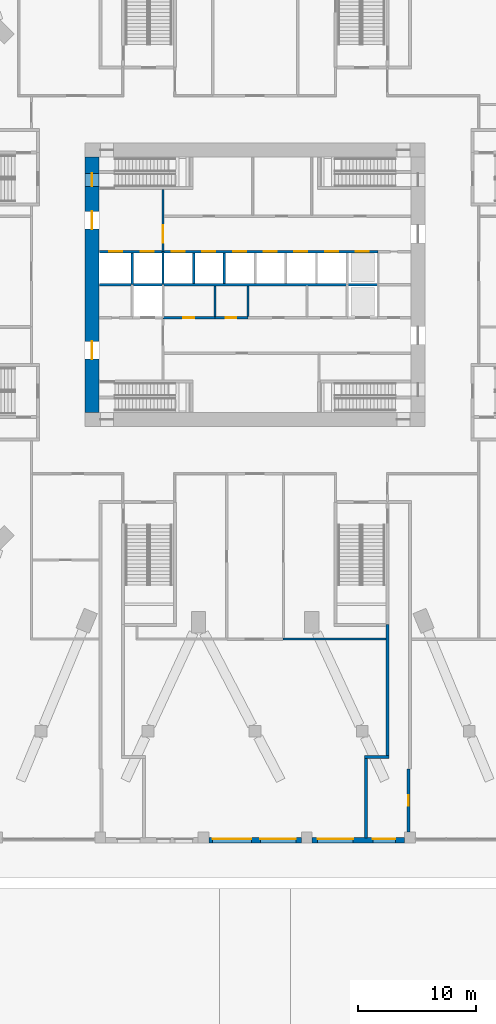
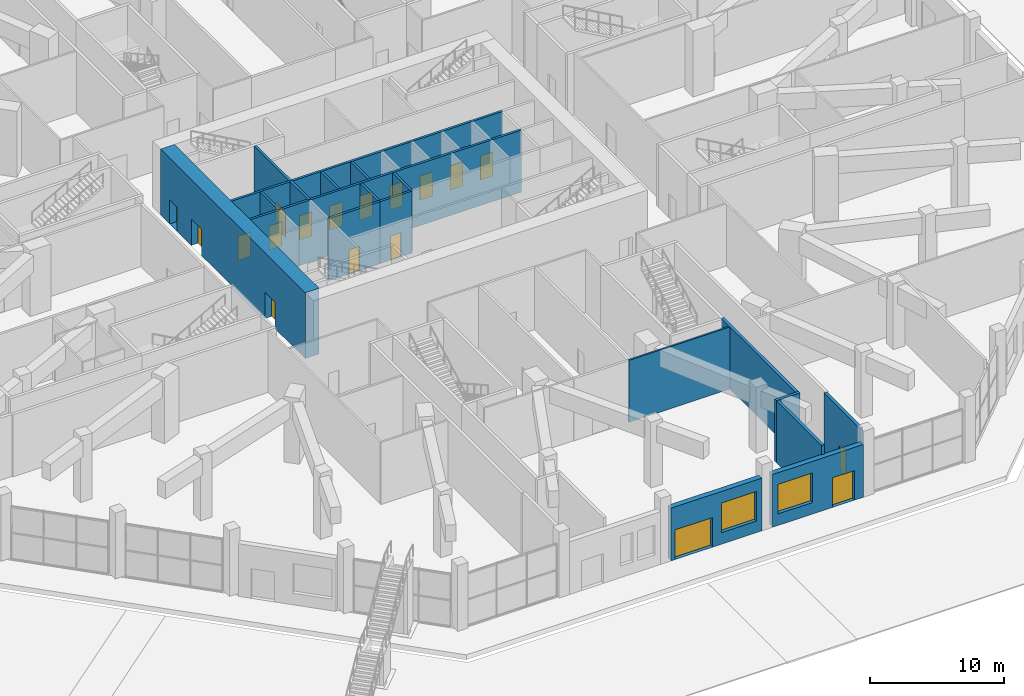
# One storey, part 22 of 36: 19 walls, 18 doors, 2 windows, 20 openings.
"""IFC4 building model written with IfcOpenShell, lengths in metres."""

from ifc_helpers import new_model, si_unit, direction, frame, frame_2d, origin, place, context, subcontext, project, spatial, rectangle, extrude, material, layer, layer_set, type_object, element, fill, save


model = new_model("IFC4")

# Units and contexts
model_context = context("Model", 3, precision=1e-05, world=origin(), true_north=direction((0.0, 1.0)))
body_context = subcontext(model_context, "Body", "Model", "MODEL_VIEW")
ifc_project = project(units=[si_unit("LENGTHUNIT", "METRE"), si_unit("AREAUNIT", "SQUARE_METRE"), si_unit("VOLUMEUNIT", "CUBIC_METRE"), si_unit("PLANEANGLEUNIT", "RADIAN"), si_unit("MASSUNIT", "GRAM", prefix="KILO")], contexts=[model_context])

# Site, building, storey
site_placement = place(None, origin())
site = spatial("IfcSite", under=ifc_project, at=site_placement, CompositionType="ELEMENT")
building_placement = place(site_placement, origin())
building = spatial("IfcBuilding", under=site, at=building_placement, Name="Msitu Wima Residences", CompositionType="ELEMENT")
storey_placement = place(building_placement, origin())
storey = spatial("IfcBuildingStorey", under=building, at=storey_placement, Name="L00", CompositionType="ELEMENT", Elevation=0.0)

# Wall, openings, door, window
ifc_material_1 = material(Name="Brick (red buff mix), cavity wall of two leaves", Category="masonry")
ifc_layer_1 = layer(ifc_material_1, 0.449951171875)
ifc_layer_set_1 = layer_set([ifc_layer_1], Name="Brick (red buff mix), cavity wall of two leaves")
wall_type_1 = type_object("IfcWallType", Name="Brick infill wall BW450 podium", PredefinedType="ELEMENTEDWALL", material=ifc_layer_set_1)
wall_1_placement = place(storey_placement, frame((-3.921142578125, -47.02490234375, 0.0), z_axis=(0.0, 0.0, 1.0), x_axis=(1.0, 0.0, 0.0)))
wall_1 = element("IfcWall", 1, at=wall_1_placement, inside=storey, type_object=wall_type_1, Name="Brick infill wall L00 S2", PredefinedType="ELEMENTEDWALL", context=body_context, shape_type="SweptSolid", body=[
    extrude(rectangle(XDim=7.84228515625, YDim=0.449951171875, at=frame_2d((3.921142578125, 0.0))), origin(), (0.0, 0.0, 1.0), 4.800048828125),
])
opening_1_placement = place(wall_1_placement, frame((0.3251953125, 0.0, 0.0)))
opening_1 = element("IfcOpeningElement", 2, at=opening_1_placement, cuts=wall_1, Name="Opening D00.015", PredefinedType="OPENING", context=body_context, shape_type="SweptSolid", body=[
    extrude(rectangle(XDim=3.27099609375, YDim=2.699951171875, at=frame_2d((1.635498046875, 1.35009765625))), frame((0.0, 0.23486328125, 0.0), z_axis=(0.0, -1.0, 0.0), x_axis=(1.0, 0.0, 0.0)), (0.0, 0.0, 1.0), 0.469970703125),
])
opening_2_placement = place(wall_1_placement, frame((4.37109375, 0.0, 1.050048828125)))
opening_2 = element("IfcOpeningElement", 3, at=opening_2_placement, cuts=wall_1, Name="Opening W00.008", PredefinedType="OPENING", context=body_context, shape_type="SweptSolid", body=[
    extrude(rectangle(XDim=3.0, YDim=2.699951171875, at=frame_2d((1.5, 1.35009765625))), frame((0.0, 0.23486328125, 0.0), z_axis=(0.0, -1.0, 0.0), x_axis=(1.0, 0.0, 0.0)), (0.0, 0.0, 1.0), 0.469970703125),
])
ifc_material_2 = material(Name="Anodised aluminium, bronze finish, clear laminated glazing", Category="aluminium")
door_type_1 = type_object("IfcDoorType", Name="Entrance door D3271x2700", OperationType="DOUBLE_DOOR_SINGLE_SWING", PredefinedType="DOOR", material=ifc_material_2)
door_1_placement = place(opening_1_placement, frame((3.27099609375, 0.0, 0.0), z_axis=(0.0, 0.0, 1.0), x_axis=(-1.0, 0.0, 0.0)))
door_1 = element("IfcDoor", 4, at=door_1_placement, inside=storey, type_object=door_type_1, Name="Entrance door L00 S2", OperationType="DOUBLE_DOOR_SINGLE_SWING", OverallHeight=2.699951171875, OverallWidth=3.27099609375, PredefinedType="DOOR", context=body_context, shape_type="SweptSolid", body=[
    extrude(rectangle(XDim=3.27099609375, YDim=2.699951171875, at=frame_2d((1.635498046875, 1.35009765625))), frame((0.0, -0.079833984375, 0.0), z_axis=(0.0, -1.0, 0.0), x_axis=(1.0, 0.0, 0.0)), (0.0, 0.0, 1.0), 0.050048828125),
])
fill(opening_1, door_1)
ifc_material_3 = material(Name="Anodised aluminium, bronze finish, clear low-emissivity double glazing", Category="aluminium")
window_type = type_object("IfcWindowType", Name="Window W3000x2700", PartitioningType="DOUBLE_PANEL_VERTICAL", PredefinedType="WINDOW", material=ifc_material_3)
window_1_placement = place(opening_2_placement, origin())
window_1 = element("IfcWindow", 5, at=window_1_placement, inside=storey, type_object=window_type, Name="Window L00 S2.2", OverallHeight=2.699951171875, OverallWidth=3.0, PartitioningType="SINGLE_PANEL", PredefinedType="WINDOW", context=body_context, shape_type="SweptSolid", body=[
    extrude(rectangle(XDim=3.0, YDim=2.699951171875, at=frame_2d((1.5, 1.35009765625))), frame((0.0, 0.135009765625, 0.0), z_axis=(0.0, -1.0, 0.0), x_axis=(1.0, 0.0, 0.0)), (0.0, 0.0, 1.0), 0.06005859375),
])
fill(opening_2, window_1)

wall_2_placement = place(storey_placement, frame((4.8212890625, -47.02490234375, 0.0), z_axis=(0.0, 0.0, 1.0), x_axis=(1.0, 0.0, 0.0)))
wall_2 = element("IfcWall", 6, at=wall_2_placement, inside=storey, type_object=wall_type_1, Name="Brick infill wall L00 S3", PredefinedType="ELEMENTEDWALL", context=body_context, shape_type="SweptSolid", body=[
    extrude(rectangle(XDim=7.84228515625, YDim=0.449951171875, at=frame_2d((3.921142578125, 0.0))), origin(), (0.0, 0.0, 1.0), 4.800048828125),
])
opening_3_placement = place(wall_2_placement, frame((0.47119140625, 0.0, 1.050048828125)))
opening_3 = element("IfcOpeningElement", 7, at=opening_3_placement, cuts=wall_2, Name="Opening W00.009", PredefinedType="OPENING", context=body_context, shape_type="SweptSolid", body=[
    extrude(rectangle(XDim=3.0, YDim=2.699951171875, at=frame_2d((1.5, 1.35009765625))), frame((0.0, 0.23486328125, 0.0), z_axis=(0.0, -1.0, 0.0), x_axis=(1.0, 0.0, 0.0)), (0.0, 0.0, 1.0), 0.469970703125),
])
opening_4_placement = place(wall_2_placement, frame((5.15673828125, 0.0, 0.0)))
opening_4 = element("IfcOpeningElement", 8, at=opening_4_placement, cuts=wall_2, Name="Opening D00.016", PredefinedType="OPENING", context=body_context, shape_type="SweptSolid", body=[
    extrude(rectangle(XDim=1.89990234375, YDim=2.699951171875, at=frame_2d((0.949951171875, 1.35009765625))), frame((0.0, 0.23486328125, 0.0), z_axis=(0.0, -1.0, 0.0), x_axis=(1.0, 0.0, 0.0)), (0.0, 0.0, 1.0), 0.469970703125),
])
door_type_2 = type_object("IfcDoorType", Name="Exit door D1900x2700", OperationType="DOUBLE_DOOR_SINGLE_SWING", PredefinedType="DOOR", material=ifc_material_2)
door_2_placement = place(opening_4_placement, frame((1.89990234375, 0.0, 0.0), z_axis=(0.0, 0.0, 1.0), x_axis=(-1.0, 0.0, 0.0)))
door_2 = element("IfcDoor", 9, at=door_2_placement, inside=storey, type_object=door_type_2, Name="Exit door L00 S3", OperationType="DOUBLE_DOOR_SINGLE_SWING", OverallHeight=2.699951171875, OverallWidth=1.89990234375, PredefinedType="DOOR", context=body_context, shape_type="SweptSolid", body=[
    extrude(rectangle(XDim=1.89990234375, YDim=2.699951171875, at=frame_2d((0.949951171875, 1.35009765625))), frame((0.0, -0.079833984375, 0.0), z_axis=(0.0, -1.0, 0.0), x_axis=(1.0, 0.0, 0.0)), (0.0, 0.0, 1.0), 0.050048828125),
])
fill(opening_4, door_2)
window_2_placement = place(opening_3_placement, origin())
window_2 = element("IfcWindow", 10, at=window_2_placement, inside=storey, type_object=window_type, Name="Window L00 S3.1", OverallHeight=2.699951171875, OverallWidth=3.0, PartitioningType="SINGLE_PANEL", PredefinedType="WINDOW", context=body_context, shape_type="SweptSolid", body=[
    extrude(rectangle(XDim=3.0, YDim=2.699951171875, at=frame_2d((1.5, 1.35009765625))), frame((0.0, 0.135009765625, 0.0), z_axis=(0.0, -1.0, 0.0), x_axis=(1.0, 0.0, 0.0)), (0.0, 0.0, 1.0), 0.06005859375),
])
fill(opening_3, window_2)

# Wall, openings, doors
ifc_material_4 = material(Name="Concrete C80/95", Category="concrete")
ifc_layer_2 = layer(ifc_material_4, 1.199951171875)
ifc_layer_set_2 = layer_set([ifc_layer_2], Name="Concrete C80/95")
wall_type_2 = type_object("IfcWallType", Name="Core wall CW1200 C80/95", PredefinedType="SHEAR", material=ifc_layer_set_2)
wall_3_placement = place(storey_placement, frame((-13.800048828125, -10.800048828125, 0.0), z_axis=(0.0, 0.0, 1.0), x_axis=(0.0, 1.0, 0.0)))
wall_3 = element("IfcWall", 11, at=wall_3_placement, inside=storey, type_object=wall_type_2, Name="Core wall", PredefinedType="SHEAR", context=body_context, shape_type="SweptSolid", body=[
    extrude(rectangle(XDim=21.60009765625, YDim=1.199951171875, at=frame_2d((10.800048828125, 0.0))), origin(), (0.0, 0.0, 1.0), 6.0),
])
opening_5_placement = place(wall_3_placement, frame((15.5, 0.0, 0.0)))
opening_5 = element("IfcOpeningElement", 12, at=opening_5_placement, cuts=wall_3, Name="Opening D00.094", PredefinedType="OPENING", context=body_context, shape_type="SweptSolid", body=[
    extrude(rectangle(XDim=1.5, YDim=2.39990234375, at=frame_2d((0.75, 1.199951171875))), frame((0.0, 0.60986328125, 0.0), z_axis=(0.0, -1.0, 0.0), x_axis=(1.0, 0.0, 0.0)), (0.0, 0.0, 1.0), 1.219970703125),
])
opening_6_placement = place(wall_3_placement, frame((4.5, 0.0, 0.0)))
opening_6 = element("IfcOpeningElement", 13, at=opening_6_placement, cuts=wall_3, Name="Opening D00.095", PredefinedType="OPENING", context=body_context, shape_type="SweptSolid", body=[
    extrude(rectangle(XDim=1.5, YDim=2.39990234375, at=frame_2d((0.75, 1.199951171875))), frame((0.0, 0.60986328125, 0.0), z_axis=(0.0, -1.0, 0.0), x_axis=(1.0, 0.0, 0.0)), (0.0, 0.0, 1.0), 1.219970703125),
])
opening_7_placement = place(wall_3_placement, frame((19.1298828125, 0.0, 0.0)))
opening_7 = element("IfcOpeningElement", 14, at=opening_7_placement, cuts=wall_3, Name="Opening D00.044", PredefinedType="OPENING", context=body_context, shape_type="SweptSolid", body=[
    extrude(rectangle(XDim=1.10009765625, YDim=2.199951171875, at=frame_2d((0.550048828125, 1.10009765625))), frame((0.0, 0.60986328125, 0.0), z_axis=(0.0, -1.0, 0.0), x_axis=(1.0, 0.0, 0.0)), (0.0, 0.0, 1.0), 1.219970703125),
])
ifc_material_5 = material(Name="Steel framed glazed door, fire resisting", Category="steel")
door_type_3 = type_object("IfcDoorType", Name="Lobby door D07 1500x2400", OperationType="DOUBLE_DOOR_SINGLE_SWING", PredefinedType="DOOR", material=ifc_material_5)
door_3_placement = place(opening_5_placement, origin())
door_3 = element("IfcDoor", 15, at=door_3_placement, inside=storey, type_object=door_type_3, Name="Lobby door", OperationType="DOUBLE_DOOR_SINGLE_SWING", OverallHeight=2.39990234375, OverallWidth=1.5, PredefinedType="DOOR", context=body_context, shape_type="SweptSolid", body=[
    extrude(rectangle(XDim=1.5, YDim=2.39990234375, at=frame_2d((0.75, 1.199951171875))), frame((0.0, 0.02490234375, 0.0), z_axis=(0.0, -1.0, 0.0), x_axis=(1.0, 0.0, 0.0)), (0.0, 0.0, 1.0), 0.050048828125),
])
fill(opening_5, door_3)
door_4_placement = place(opening_6_placement, origin())
door_4 = element("IfcDoor", 16, at=door_4_placement, inside=storey, type_object=door_type_3, Name="Lobby door", OperationType="DOUBLE_DOOR_SINGLE_SWING", OverallHeight=2.39990234375, OverallWidth=1.5, PredefinedType="DOOR", context=body_context, shape_type="SweptSolid", body=[
    extrude(rectangle(XDim=1.5, YDim=2.39990234375, at=frame_2d((0.75, 1.199951171875))), frame((0.0, 0.02490234375, 0.0), z_axis=(0.0, -1.0, 0.0), x_axis=(1.0, 0.0, 0.0)), (0.0, 0.0, 1.0), 0.050048828125),
])
fill(opening_6, door_4)
ifc_material_6 = material(Name="Steel door, fire resisting, panic bar", Category="steel")
door_type_4 = type_object("IfcDoorType", Name="Stair door D06 1100x2200", OperationType="SINGLE_SWING_LEFT", PredefinedType="DOOR", material=ifc_material_6)
door_5_placement = place(opening_7_placement, origin())
door_5 = element("IfcDoor", 17, at=door_5_placement, inside=storey, type_object=door_type_4, Name="Stair door", OperationType="SINGLE_SWING_RIGHT", OverallHeight=2.199951171875, OverallWidth=1.10009765625, PredefinedType="DOOR", context=body_context, shape_type="SweptSolid", body=[
    extrude(rectangle(XDim=1.10009765625, YDim=2.199951171875, at=frame_2d((0.550048828125, 1.10009765625))), frame((0.0, 0.02490234375, 0.0), z_axis=(0.0, -1.0, 0.0), x_axis=(1.0, 0.0, 0.0)), (0.0, 0.0, 1.0), 0.050048828125),
])
fill(opening_7, door_5)

# Wall, opening, door
ifc_material_7 = material(Name="Plaster")
ifc_layer_3 = layer(ifc_material_7, 0.011962890625, Name="Plaster")
ifc_material_8 = material(Name="Concrete blockwork", Category="masonry")
ifc_layer_4 = layer(ifc_material_8, 0.176025390625, Name="Concrete blockwork")
ifc_layer_5 = layer(ifc_material_7, 0.011962890625, Name="Plaster")
ifc_layer_set_3 = layer_set([ifc_layer_3, ifc_layer_4, ifc_layer_5], Name="Concrete blockwork")
wall_type_3 = type_object("IfcWallType", Name="Corridor wall FW200", PredefinedType="PARTITIONING", material=ifc_layer_set_3)
wall_4_placement = place(storey_placement, frame((-7.820068359375, -2.800048828125, 0.0), z_axis=(0.0, 0.0, 1.0), x_axis=(1.0, 0.0, 0.0)))
wall_4 = element("IfcWall", 18, at=wall_4_placement, inside=storey, type_object=wall_type_3, Name="Corridor wall", PredefinedType="PARTITIONING", context=body_context, shape_type="SweptSolid", body=[
    extrude(rectangle(XDim=4.440185546875, YDim=0.199951171875, at=frame_2d((2.22021484375, 0.0))), origin(), (0.0, 0.0, 1.0), 5.64990234375),
])
opening_8_placement = place(wall_4_placement, frame((1.75, 0.0, 0.0)))
opening_8 = element("IfcOpeningElement", 19, at=opening_8_placement, cuts=wall_4, Name="Opening D00.034", PredefinedType="OPENING", context=body_context, shape_type="SweptSolid", body=[
    extrude(rectangle(XDim=0.89990234375, YDim=2.199951171875, at=frame_2d((0.449951171875, 1.10009765625))), frame((0.0, 0.10986328125, 0.0), z_axis=(0.0, -1.0, 0.0), x_axis=(1.0, 0.0, 0.0)), (0.0, 0.0, 1.0), 0.219970703125),
])
ifc_material_9 = material(Name="Timber flush door", Category="wood")
door_type_5 = type_object("IfcDoorType", Name="Service door D05 900x2200", OperationType="SINGLE_SWING_LEFT", PredefinedType="DOOR", material=ifc_material_9)
door_6_placement = place(opening_8_placement, origin())
door_6 = element("IfcDoor", 20, at=door_6_placement, inside=storey, type_object=door_type_5, Name="Service door", OperationType="SINGLE_SWING_LEFT", OverallHeight=2.199951171875, OverallWidth=0.89990234375, PredefinedType="DOOR", context=body_context, shape_type="SweptSolid", body=[
    extrude(rectangle(XDim=0.89990234375, YDim=2.199951171875, at=frame_2d((0.449951171875, 1.10009765625))), frame((0.0, 0.02490234375, 0.0), z_axis=(0.0, -1.0, 0.0), x_axis=(1.0, 0.0, 0.0)), (0.0, 0.0, 1.0), 0.050048828125),
])
fill(opening_8, door_6)

wall_5_placement = place(storey_placement, frame((-7.800048828125, 2.800048828125, 0.0), z_axis=(0.0, 0.0, 1.0), x_axis=(0.0, 1.0, 0.0)))
wall_5 = element("IfcWall", 21, at=wall_5_placement, inside=storey, type_object=wall_type_3, Name="Corridor wall", PredefinedType="PARTITIONING", context=body_context, shape_type="SweptSolid", body=[
    extrude(rectangle(XDim=5.27490234375, YDim=0.199951171875, at=frame_2d((2.637451171875, 0.0))), origin(), (0.0, 0.0, 1.0), 5.64990234375),
])
opening_9_placement = place(wall_5_placement, frame((0.75, 0.0, 0.0)))
opening_9 = element("IfcOpeningElement", 22, at=opening_9_placement, cuts=wall_5, Name="Opening D00.025", PredefinedType="OPENING", context=body_context, shape_type="SweptSolid", body=[
    extrude(rectangle(XDim=1.5, YDim=2.39990234375, at=frame_2d((0.75, 1.199951171875))), frame((0.0, 0.10986328125, 0.0), z_axis=(0.0, -1.0, 0.0), x_axis=(1.0, 0.0, 0.0)), (0.0, 0.0, 1.0), 0.219970703125),
])
door_7_placement = place(opening_9_placement, origin())
door_7 = element("IfcDoor", 23, at=door_7_placement, inside=storey, type_object=door_type_3, Name="Lobby door", OperationType="DOUBLE_DOOR_SINGLE_SWING", OverallHeight=2.39990234375, OverallWidth=1.5, PredefinedType="DOOR", context=body_context, shape_type="SweptSolid", body=[
    extrude(rectangle(XDim=1.5, YDim=2.39990234375, at=frame_2d((0.75, 1.199951171875))), frame((0.0, 0.02490234375, 0.0), z_axis=(0.0, -1.0, 0.0), x_axis=(1.0, 0.0, 0.0)), (0.0, 0.0, 1.0), 0.050048828125),
])
fill(opening_9, door_7)

# Wall
ifc_layer_6 = layer(ifc_material_7, 0.011962890625, Name="Plaster")
ifc_layer_7 = layer(ifc_material_8, 0.1259765625, Name="Concrete blockwork")
ifc_layer_8 = layer(ifc_material_7, 0.011962890625, Name="Plaster")
ifc_layer_set_4 = layer_set([ifc_layer_6, ifc_layer_7, ifc_layer_8], Name="Concrete blockwork")
wall_type_4 = type_object("IfcWallType", Name="Partition PW150", PredefinedType="PARTITIONING", material=ifc_layer_set_4)
wall_6_placement = place(storey_placement, frame((2.3798828125, -30.0, 0.0), z_axis=(0.0, 0.0, 1.0), x_axis=(1.0, 0.0, 0.0)))
element("IfcWall", 24, at=wall_6_placement, inside=storey, type_object=wall_type_4, Name="Partition", PredefinedType="PARTITIONING", context=body_context, shape_type="SweptSolid", body=[
    extrude(rectangle(XDim=8.695068359375, YDim=0.14990234375, at=frame_2d((4.34765625, 0.0))), origin(), (0.0, 0.0, 1.0), 5.64990234375),
])

# Wall, opening, door
ifc_layer_9 = layer(ifc_material_7, 0.011962890625, Name="Plaster")
ifc_material_10 = material(Name="Reinforced concrete blockwork", Category="masonry")
ifc_layer_10 = layer(ifc_material_10, 0.176025390625, Name="Reinforced concrete blockwork")
ifc_layer_11 = layer(ifc_material_7, 0.011962890625, Name="Plaster")
ifc_layer_set_5 = layer_set([ifc_layer_9, ifc_layer_10, ifc_layer_11], Name="Reinforced concrete blockwork")
wall_type_5 = type_object("IfcWallType", Name="Plant and riser wall PL200", PredefinedType="PARTITIONING", material=ifc_layer_set_5)
wall_7_placement = place(storey_placement, frame((-3.3798828125, -2.800048828125, 0.0), z_axis=(0.0, 0.0, 1.0), x_axis=(1.0, 0.0, 0.0)))
wall_7 = element("IfcWall", 25, at=wall_7_placement, inside=storey, type_object=wall_type_5, Name="Plant and riser wall", PredefinedType="PARTITIONING", context=body_context, shape_type="SweptSolid", body=[
    extrude(rectangle(XDim=2.759765625, YDim=0.199951171875, at=frame_2d((1.3798828125, 0.0))), origin(), (0.0, 0.0, 1.0), 5.64990234375),
])
opening_10_placement = place(wall_7_placement, frame((0.89990234375, 0.0, 0.0)))
opening_10 = element("IfcOpeningElement", 26, at=opening_10_placement, cuts=wall_7, Name="Opening D00.035", PredefinedType="OPENING", context=body_context, shape_type="SweptSolid", body=[
    extrude(rectangle(XDim=0.89990234375, YDim=2.199951171875, at=frame_2d((0.449951171875, 1.10009765625))), frame((0.0, 0.10986328125, 0.0), z_axis=(0.0, -1.0, 0.0), x_axis=(1.0, 0.0, 0.0)), (0.0, 0.0, 1.0), 0.219970703125),
])
door_8_placement = place(opening_10_placement, origin())
door_8 = element("IfcDoor", 27, at=door_8_placement, inside=storey, type_object=door_type_5, Name="Service door", OperationType="SINGLE_SWING_LEFT", OverallHeight=2.199951171875, OverallWidth=0.89990234375, PredefinedType="DOOR", context=body_context, shape_type="SweptSolid", body=[
    extrude(rectangle(XDim=0.89990234375, YDim=2.199951171875, at=frame_2d((0.449951171875, 1.10009765625))), frame((0.0, 0.02490234375, 0.0), z_axis=(0.0, -1.0, 0.0), x_axis=(1.0, 0.0, 0.0)), (0.0, 0.0, 1.0), 0.050048828125),
])
fill(opening_10, door_8)

# Walls
for number, where, z_axis, x_axis, name in (
    (28, (-3.39990234375, -2.699951171875, 0.0), (0.0, 0.0, 1.0), (0.0, 1.0, 0.0), "Plant and riser wall"),
    (29, (-0.60009765625, -2.699951171875, 0.0), (0.0, 0.0, 1.0), (0.0, 1.0, 0.0), "Plant and riser wall"),
):
    element("IfcWall", number, at=place(storey_placement, frame(where, z_axis=z_axis, x_axis=x_axis)), inside=storey, type_object=wall_type_5, Name=name, PredefinedType="PARTITIONING", context=body_context, shape_type="SweptSolid", body=[
        extrude(rectangle(XDim=2.599853515625, YDim=0.199951171875, at=frame_2d((1.2998046875, 0.0))), origin(), (0.0, 0.0, 1.0), 5.64990234375),
    ])
ifc_material_11 = material(Name="Fire-rated board")
ifc_layer_12 = layer(ifc_material_11, 0.02490234375, Name="Fire-rated board")
ifc_material_12 = material(Name="Light-gauge stud framing with mineral wool")
ifc_layer_13 = layer(ifc_material_12, 0.14990234375, Name="Light-gauge stud framing with mineral wool")
ifc_layer_14 = layer(ifc_material_11, 0.02490234375, Name="Fire-rated board")
ifc_layer_set_6 = layer_set([ifc_layer_12, ifc_layer_13, ifc_layer_14], Name="Light-gauge stud framing with mineral wool")
wall_type_6 = type_object("IfcWallType", Name="Shaft wall SH200", PredefinedType="PARTITIONING", material=ifc_layer_set_6)
wall_8_placement = place(storey_placement, frame((-13.169921875, 0.0, 0.0), z_axis=(0.0, 0.0, 1.0), x_axis=(1.0, 0.0, 0.0)))
element("IfcWall", 30, at=wall_8_placement, inside=storey, type_object=wall_type_6, Name="Shaft wall", PredefinedType="PARTITIONING", context=body_context, shape_type="SweptSolid", body=[
    extrude(rectangle(XDim=23.56982421875, YDim=0.199951171875, at=frame_2d((11.784912109375, 0.0))), origin(), (0.0, 0.0, 1.0), 5.64990234375),
])

# Wall, openings, doors
wall_9_placement = place(storey_placement, frame((-13.169921875, 2.800048828125, 0.0), z_axis=(0.0, 0.0, 1.0), x_axis=(1.0, 0.0, 0.0)))
wall_9 = element("IfcWall", 31, at=wall_9_placement, inside=storey, type_object=wall_type_6, Name="Shaft wall", PredefinedType="PARTITIONING", context=body_context, shape_type="SweptSolid", body=[
    extrude(rectangle(XDim=23.56982421875, YDim=0.199951171875, at=frame_2d((11.784912109375, 0.0))), origin(), (0.0, 0.0, 1.0), 5.64990234375),
])
opening_11_placement = place(wall_9_placement, frame((0.800048828125, 0.0, 0.0)))
opening_11 = element("IfcOpeningElement", 32, at=opening_11_placement, cuts=wall_9, Name="Opening LD", PredefinedType="OPENING", context=body_context, shape_type="SweptSolid", body=[
    extrude(rectangle(XDim=1.10009765625, YDim=2.199951171875, at=frame_2d((0.550048828125, 1.10009765625))), frame((0.0, 0.10986328125, 0.0), z_axis=(0.0, -1.0, 0.0), x_axis=(1.0, 0.0, 0.0)), (0.0, 0.0, 1.0), 0.219970703125),
])
opening_12_placement = place(wall_9_placement, frame((3.5, 0.0, 0.0)))
opening_12 = element("IfcOpeningElement", 33, at=opening_12_placement, cuts=wall_9, Name="Opening LD", PredefinedType="OPENING", context=body_context, shape_type="SweptSolid", body=[
    extrude(rectangle(XDim=1.10009765625, YDim=2.199951171875, at=frame_2d((0.550048828125, 1.10009765625))), frame((0.0, 0.10986328125, 0.0), z_axis=(0.0, -1.0, 0.0), x_axis=(1.0, 0.0, 0.0)), (0.0, 0.0, 1.0), 0.219970703125),
])
opening_13_placement = place(wall_9_placement, frame((6.10009765625, 0.0, 0.0)))
opening_13 = element("IfcOpeningElement", 34, at=opening_13_placement, cuts=wall_9, Name="Opening LD", PredefinedType="OPENING", context=body_context, shape_type="SweptSolid", body=[
    extrude(rectangle(XDim=1.10009765625, YDim=2.199951171875, at=frame_2d((0.550048828125, 1.10009765625))), frame((0.0, 0.10986328125, 0.0), z_axis=(0.0, -1.0, 0.0), x_axis=(1.0, 0.0, 0.0)), (0.0, 0.0, 1.0), 0.219970703125),
])
opening_14_placement = place(wall_9_placement, frame((8.699951171875, 0.0, 0.0)))
opening_14 = element("IfcOpeningElement", 35, at=opening_14_placement, cuts=wall_9, Name="Opening LD", PredefinedType="OPENING", context=body_context, shape_type="SweptSolid", body=[
    extrude(rectangle(XDim=1.10009765625, YDim=2.199951171875, at=frame_2d((0.550048828125, 1.10009765625))), frame((0.0, 0.10986328125, 0.0), z_axis=(0.0, -1.0, 0.0), x_axis=(1.0, 0.0, 0.0)), (0.0, 0.0, 1.0), 0.219970703125),
])
opening_15_placement = place(wall_9_placement, frame((11.300048828125, 0.0, 0.0)))
opening_15 = element("IfcOpeningElement", 36, at=opening_15_placement, cuts=wall_9, Name="Opening LD", PredefinedType="OPENING", context=body_context, shape_type="SweptSolid", body=[
    extrude(rectangle(XDim=1.10009765625, YDim=2.199951171875, at=frame_2d((0.550048828125, 1.10009765625))), frame((0.0, 0.10986328125, 0.0), z_axis=(0.0, -1.0, 0.0), x_axis=(1.0, 0.0, 0.0)), (0.0, 0.0, 1.0), 0.219970703125),
])
opening_16_placement = place(wall_9_placement, frame((13.89990234375, 0.0, 0.0)))
opening_16 = element("IfcOpeningElement", 37, at=opening_16_placement, cuts=wall_9, Name="Opening LD", PredefinedType="OPENING", context=body_context, shape_type="SweptSolid", body=[
    extrude(rectangle(XDim=1.10009765625, YDim=2.199951171875, at=frame_2d((0.550048828125, 1.10009765625))), frame((0.0, 0.10986328125, 0.0), z_axis=(0.0, -1.0, 0.0), x_axis=(1.0, 0.0, 0.0)), (0.0, 0.0, 1.0), 0.219970703125),
])
opening_17_placement = place(wall_9_placement, frame((16.5, 0.0, 0.0)))
opening_17 = element("IfcOpeningElement", 38, at=opening_17_placement, cuts=wall_9, Name="Opening LD", PredefinedType="OPENING", context=body_context, shape_type="SweptSolid", body=[
    extrude(rectangle(XDim=1.10009765625, YDim=2.199951171875, at=frame_2d((0.550048828125, 1.10009765625))), frame((0.0, 0.10986328125, 0.0), z_axis=(0.0, -1.0, 0.0), x_axis=(1.0, 0.0, 0.0)), (0.0, 0.0, 1.0), 0.219970703125),
])
opening_18_placement = place(wall_9_placement, frame((19.10009765625, 0.0, 0.0)))
opening_18 = element("IfcOpeningElement", 39, at=opening_18_placement, cuts=wall_9, Name="Opening LD", PredefinedType="OPENING", context=body_context, shape_type="SweptSolid", body=[
    extrude(rectangle(XDim=1.10009765625, YDim=2.199951171875, at=frame_2d((0.550048828125, 1.10009765625))), frame((0.0, 0.10986328125, 0.0), z_axis=(0.0, -1.0, 0.0), x_axis=(1.0, 0.0, 0.0)), (0.0, 0.0, 1.0), 0.219970703125),
])
opening_19_placement = place(wall_9_placement, frame((21.699951171875, 0.0, 0.0)))
opening_19 = element("IfcOpeningElement", 40, at=opening_19_placement, cuts=wall_9, Name="Opening LD", PredefinedType="OPENING", context=body_context, shape_type="SweptSolid", body=[
    extrude(rectangle(XDim=1.10009765625, YDim=2.199951171875, at=frame_2d((0.550048828125, 1.10009765625))), frame((0.0, 0.10986328125, 0.0), z_axis=(0.0, -1.0, 0.0), x_axis=(1.0, 0.0, 0.0)), (0.0, 0.0, 1.0), 0.219970703125),
])
ifc_material_13 = material(Name="Stainless steel centre-opening landing door, rated", Category="steel")
door_type_6 = type_object("IfcDoorType", Name="Lift landing door LD 1100x2200", OperationType="DOUBLE_DOOR_SLIDING", PredefinedType="DOOR", material=ifc_material_13)
door_9_placement = place(opening_11_placement, origin())
door_9 = element("IfcDoor", 41, at=door_9_placement, inside=storey, type_object=door_type_6, Name="Lift landing door LD1", OperationType="DOUBLE_DOOR_SLIDING", OverallHeight=2.199951171875, OverallWidth=1.10009765625, PredefinedType="DOOR", context=body_context, shape_type="SweptSolid", body=[
    extrude(rectangle(XDim=1.10009765625, YDim=2.199951171875, at=frame_2d((0.550048828125, 1.10009765625))), frame((0.0, 0.02490234375, 0.0), z_axis=(0.0, -1.0, 0.0), x_axis=(1.0, 0.0, 0.0)), (0.0, 0.0, 1.0), 0.050048828125),
])
fill(opening_11, door_9)
door_10_placement = place(opening_12_placement, origin())
door_10 = element("IfcDoor", 42, at=door_10_placement, inside=storey, type_object=door_type_6, Name="Lift landing door LD2", OperationType="DOUBLE_DOOR_SLIDING", OverallHeight=2.199951171875, OverallWidth=1.10009765625, PredefinedType="DOOR", context=body_context, shape_type="SweptSolid", body=[
    extrude(rectangle(XDim=1.10009765625, YDim=2.199951171875, at=frame_2d((0.550048828125, 1.10009765625))), frame((0.0, 0.02490234375, 0.0), z_axis=(0.0, -1.0, 0.0), x_axis=(1.0, 0.0, 0.0)), (0.0, 0.0, 1.0), 0.050048828125),
])
fill(opening_12, door_10)
door_11_placement = place(opening_13_placement, origin())
door_11 = element("IfcDoor", 43, at=door_11_placement, inside=storey, type_object=door_type_6, Name="Lift landing door LD4", OperationType="DOUBLE_DOOR_SLIDING", OverallHeight=2.199951171875, OverallWidth=1.10009765625, PredefinedType="DOOR", context=body_context, shape_type="SweptSolid", body=[
    extrude(rectangle(XDim=1.10009765625, YDim=2.199951171875, at=frame_2d((0.550048828125, 1.10009765625))), frame((0.0, 0.02490234375, 0.0), z_axis=(0.0, -1.0, 0.0), x_axis=(1.0, 0.0, 0.0)), (0.0, 0.0, 1.0), 0.050048828125),
])
fill(opening_13, door_11)
door_12_placement = place(opening_14_placement, origin())
door_12 = element("IfcDoor", 44, at=door_12_placement, inside=storey, type_object=door_type_6, Name="Lift landing door LD6", OperationType="DOUBLE_DOOR_SLIDING", OverallHeight=2.199951171875, OverallWidth=1.10009765625, PredefinedType="DOOR", context=body_context, shape_type="SweptSolid", body=[
    extrude(rectangle(XDim=1.10009765625, YDim=2.199951171875, at=frame_2d((0.550048828125, 1.10009765625))), frame((0.0, 0.02490234375, 0.0), z_axis=(0.0, -1.0, 0.0), x_axis=(1.0, 0.0, 0.0)), (0.0, 0.0, 1.0), 0.050048828125),
])
fill(opening_14, door_12)
door_13_placement = place(opening_15_placement, origin())
door_13 = element("IfcDoor", 45, at=door_13_placement, inside=storey, type_object=door_type_6, Name="Lift landing door LD8", OperationType="DOUBLE_DOOR_SLIDING", OverallHeight=2.199951171875, OverallWidth=1.10009765625, PredefinedType="DOOR", context=body_context, shape_type="SweptSolid", body=[
    extrude(rectangle(XDim=1.10009765625, YDim=2.199951171875, at=frame_2d((0.550048828125, 1.10009765625))), frame((0.0, 0.02490234375, 0.0), z_axis=(0.0, -1.0, 0.0), x_axis=(1.0, 0.0, 0.0)), (0.0, 0.0, 1.0), 0.050048828125),
])
fill(opening_15, door_13)
door_14_placement = place(opening_16_placement, origin())
door_14 = element("IfcDoor", 46, at=door_14_placement, inside=storey, type_object=door_type_6, Name="Lift landing door LD10", OperationType="DOUBLE_DOOR_SLIDING", OverallHeight=2.199951171875, OverallWidth=1.10009765625, PredefinedType="DOOR", context=body_context, shape_type="SweptSolid", body=[
    extrude(rectangle(XDim=1.10009765625, YDim=2.199951171875, at=frame_2d((0.550048828125, 1.10009765625))), frame((0.0, 0.02490234375, 0.0), z_axis=(0.0, -1.0, 0.0), x_axis=(1.0, 0.0, 0.0)), (0.0, 0.0, 1.0), 0.050048828125),
])
fill(opening_16, door_14)
door_15_placement = place(opening_17_placement, origin())
door_15 = element("IfcDoor", 47, at=door_15_placement, inside=storey, type_object=door_type_6, Name="Lift landing door LD12", OperationType="DOUBLE_DOOR_SLIDING", OverallHeight=2.199951171875, OverallWidth=1.10009765625, PredefinedType="DOOR", context=body_context, shape_type="SweptSolid", body=[
    extrude(rectangle(XDim=1.10009765625, YDim=2.199951171875, at=frame_2d((0.550048828125, 1.10009765625))), frame((0.0, 0.02490234375, 0.0), z_axis=(0.0, -1.0, 0.0), x_axis=(1.0, 0.0, 0.0)), (0.0, 0.0, 1.0), 0.050048828125),
])
fill(opening_17, door_15)
door_16_placement = place(opening_18_placement, origin())
door_16 = element("IfcDoor", 48, at=door_16_placement, inside=storey, type_object=door_type_6, Name="Lift landing door LD14", OperationType="DOUBLE_DOOR_SLIDING", OverallHeight=2.199951171875, OverallWidth=1.10009765625, PredefinedType="DOOR", context=body_context, shape_type="SweptSolid", body=[
    extrude(rectangle(XDim=1.10009765625, YDim=2.199951171875, at=frame_2d((0.550048828125, 1.10009765625))), frame((0.0, 0.02490234375, 0.0), z_axis=(0.0, -1.0, 0.0), x_axis=(1.0, 0.0, 0.0)), (0.0, 0.0, 1.0), 0.050048828125),
])
fill(opening_18, door_16)
door_17_placement = place(opening_19_placement, origin())
door_17 = element("IfcDoor", 49, at=door_17_placement, inside=storey, type_object=door_type_6, Name="Lift landing door LD16", OperationType="DOUBLE_DOOR_SLIDING", OverallHeight=2.199951171875, OverallWidth=1.10009765625, PredefinedType="DOOR", context=body_context, shape_type="SweptSolid", body=[
    extrude(rectangle(XDim=1.10009765625, YDim=2.199951171875, at=frame_2d((0.550048828125, 1.10009765625))), frame((0.0, 0.02490234375, 0.0), z_axis=(0.0, -1.0, 0.0), x_axis=(1.0, 0.0, 0.0)), (0.0, 0.0, 1.0), 0.050048828125),
])
fill(opening_19, door_17)

# Walls
wall_10_placement = place(storey_placement, frame((-10.39990234375, 0.0, 0.0), z_axis=(0.0, 0.0, 1.0), x_axis=(0.0, 1.0, 0.0)))
element("IfcWall", 50, at=wall_10_placement, inside=storey, type_object=wall_type_6, Name="Shaft wall", PredefinedType="PARTITIONING", context=body_context, shape_type="SweptSolid", body=[
    extrude(rectangle(XDim=2.699951171875, YDim=0.199951171875, at=frame_2d((1.35009765625, 0.0))), origin(), (0.0, 0.0, 1.0), 5.64990234375),
])
wall_11_placement = place(storey_placement, frame((-7.800048828125, 0.0, 0.0), z_axis=(0.0, 0.0, 1.0), x_axis=(0.0, 1.0, 0.0)))
element("IfcWall", 51, at=wall_11_placement, inside=storey, type_object=wall_type_6, Name="Shaft wall", PredefinedType="PARTITIONING", context=body_context, shape_type="SweptSolid", body=[
    extrude(rectangle(XDim=2.800048828125, YDim=0.199951171875, at=frame_2d((1.39990234375, 0.0))), origin(), (0.0, 0.0, 1.0), 5.64990234375),
])
for number, where, z_axis, x_axis, name in (
    (52, (-5.199951171875, 0.10009765625, 0.0), (0.0, 0.0, 1.0), (0.0, 1.0, 0.0), "Shaft wall"),
    (53, (-2.60009765625, 0.10009765625, 0.0), (0.0, 0.0, 1.0), (0.0, 1.0, 0.0), "Shaft wall"),
):
    element("IfcWall", number, at=place(storey_placement, frame(where, z_axis=z_axis, x_axis=x_axis)), inside=storey, type_object=wall_type_6, Name=name, PredefinedType="PARTITIONING", context=body_context, shape_type="SweptSolid", body=[
        extrude(rectangle(XDim=2.599853515625, YDim=0.199951171875, at=frame_2d((1.2998046875, 0.0))), origin(), (0.0, 0.0, 1.0), 5.64990234375),
    ])
ifc_layer_15 = layer(ifc_material_7, 0.011962890625, Name="Plaster")
ifc_layer_16 = layer(ifc_material_10, 0.22607421875, Name="Reinforced concrete blockwork")
ifc_layer_17 = layer(ifc_material_7, 0.011962890625, Name="Plaster")
ifc_layer_set_7 = layer_set([ifc_layer_15, ifc_layer_16, ifc_layer_17], Name="Reinforced concrete blockwork")
wall_type_7 = type_object("IfcWallType", Name="Stair enclosure wall SW250B", PredefinedType="PARTITIONING", material=ifc_layer_set_7)
wall_12_placement = place(storey_placement, frame((9.39990234375, -46.85498046875, 0.0), z_axis=(0.0, 0.0, 1.0), x_axis=(0.0, 1.0, 0.0)))
element("IfcWall", 54, at=wall_12_placement, inside=storey, type_object=wall_type_7, Name="Stair enclosure wall", PredefinedType="PARTITIONING", context=body_context, shape_type="SweptSolid", body=[
    extrude(rectangle(XDim=6.72998046875, YDim=0.25, at=frame_2d((3.364990234375, 0.0))), origin(), (0.0, 0.0, 1.0), 5.64990234375),
])
wall_13_placement = place(storey_placement, frame((9.27490234375, -40.0, 0.0), z_axis=(0.0, 0.0, 1.0), x_axis=(1.0, 0.0, 0.0)))
element("IfcWall", 55, at=wall_13_placement, inside=storey, type_object=wall_type_7, Name="Stair enclosure wall", PredefinedType="PARTITIONING", context=body_context, shape_type="SweptSolid", body=[
    extrude(rectangle(XDim=2.050048828125, YDim=0.25, at=frame_2d((1.02490234375, 0.0))), origin(), (0.0, 0.0, 1.0), 5.64990234375),
])
wall_14_placement = place(storey_placement, frame((11.199951171875, -39.875, 0.0), z_axis=(0.0, 0.0, 1.0), x_axis=(0.0, 1.0, 0.0)))
element("IfcWall", 56, at=wall_14_placement, inside=storey, type_object=wall_type_7, Name="Stair enclosure wall", PredefinedType="PARTITIONING", context=body_context, shape_type="SweptSolid", body=[
    extrude(rectangle(XDim=11.094970703125, YDim=0.25, at=frame_2d((5.54736328125, 0.0))), origin(), (0.0, 0.0, 1.0), 5.64990234375),
])

# Wall, opening, door
wall_15_placement = place(storey_placement, frame((13.0, -46.35009765625, 0.0), z_axis=(0.0, 0.0, 1.0), x_axis=(0.0, 1.0, 0.0)))
wall_15 = element("IfcWall", 57, at=wall_15_placement, inside=storey, type_object=wall_type_7, Name="Stair enclosure wall", PredefinedType="PARTITIONING", context=body_context, shape_type="SweptSolid", body=[
    extrude(rectangle(XDim=5.35009765625, YDim=0.25, at=frame_2d((2.675048828125, 0.0))), origin(), (0.0, 0.0, 1.0), 5.64990234375),
])
opening_20_placement = place(wall_15_placement, frame((2.25, 0.0, 0.0)))
opening_20 = element("IfcOpeningElement", 58, at=opening_20_placement, cuts=wall_15, Name="Opening D00.073", PredefinedType="OPENING", context=body_context, shape_type="SweptSolid", body=[
    extrude(rectangle(XDim=0.89990234375, YDim=2.199951171875, at=frame_2d((0.449951171875, 1.10009765625))), frame((0.0, 0.135009765625, 0.0), z_axis=(0.0, -1.0, 0.0), x_axis=(1.0, 0.0, 0.0)), (0.0, 0.0, 1.0), 0.27001953125),
])
door_18_placement = place(opening_20_placement, origin())
door_18 = element("IfcDoor", 59, at=door_18_placement, inside=storey, type_object=door_type_5, Name="Service door", OperationType="SINGLE_SWING_LEFT", OverallHeight=2.199951171875, OverallWidth=0.89990234375, PredefinedType="DOOR", context=body_context, shape_type="SweptSolid", body=[
    extrude(rectangle(XDim=0.89990234375, YDim=2.199951171875, at=frame_2d((0.449951171875, 1.10009765625))), frame((0.0, 0.02490234375, 0.0), z_axis=(0.0, -1.0, 0.0), x_axis=(1.0, 0.0, 0.0)), (0.0, 0.0, 1.0), 0.050048828125),
])
fill(opening_20, door_18)

save(model, "model.ifc")
